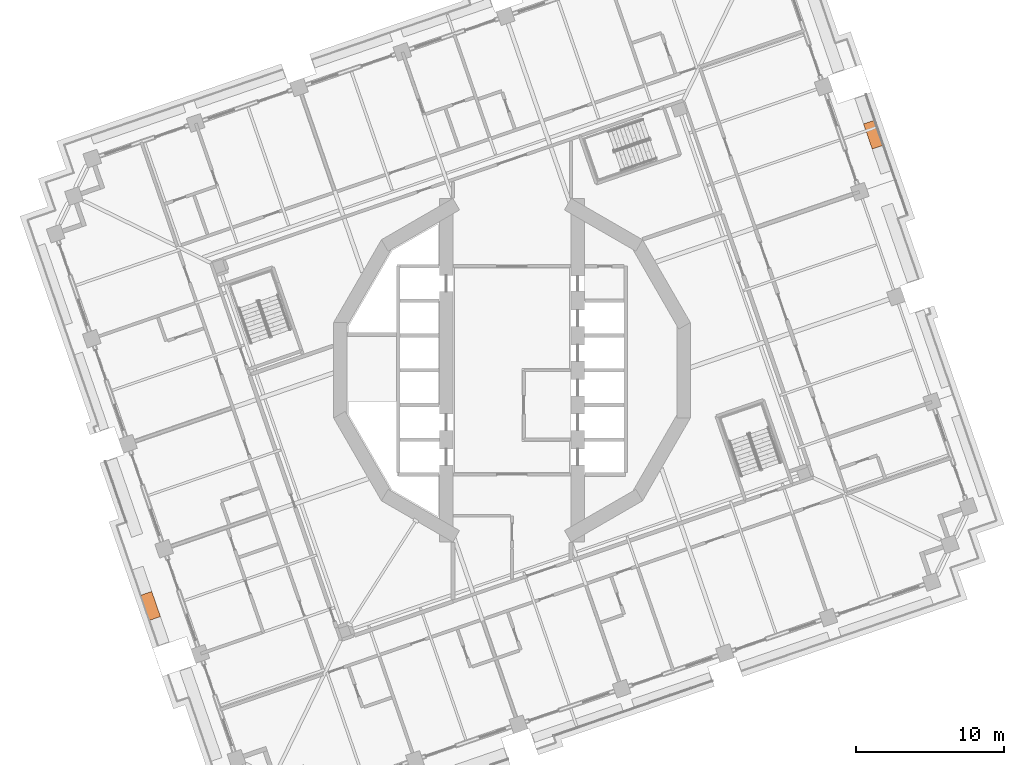
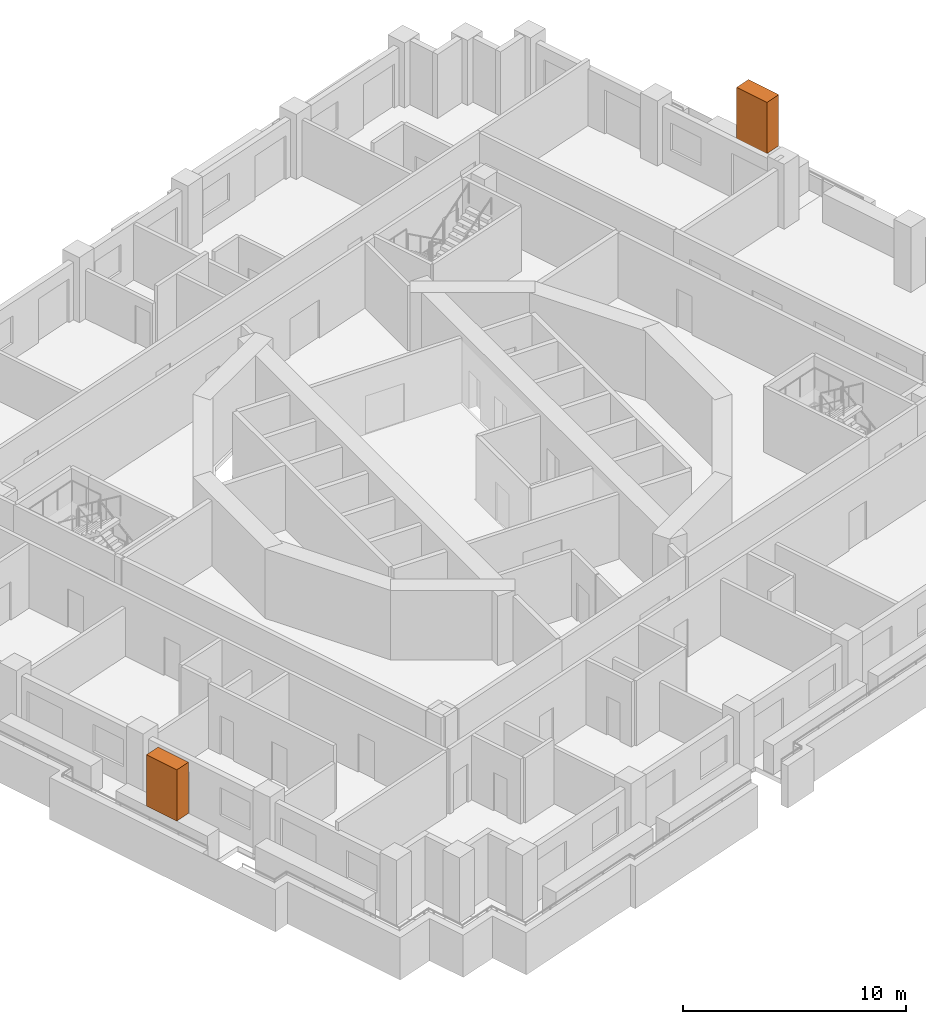
# One storey, part 19 of 19: 2 proxies.
"""IFC4 building model written with IfcOpenShell, lengths in metres."""

from ifc_helpers import new_model, si_unit, direction, frame, origin, origin_2d, place, context, subcontext, project, spatial, rectangle, extrude, element, save


model = new_model("IFC4")

# Units and contexts
model_context = context("Model", 3, precision=1e-05, world=origin(), true_north=direction((0.0, 1.0)))
body_context = subcontext(model_context, "Body", "Model", "MODEL_VIEW")
ifc_project = project(units=[si_unit("LENGTHUNIT", "METRE"), si_unit("AREAUNIT", "SQUARE_METRE"), si_unit("VOLUMEUNIT", "CUBIC_METRE"), si_unit("PLANEANGLEUNIT", "RADIAN"), si_unit("MASSUNIT", "GRAM", prefix="KILO")], contexts=[model_context])

# Site, building, storey
site_placement = place(None, origin())
site = spatial("IfcSite", under=ifc_project, at=site_placement, CompositionType="ELEMENT")
building_placement = place(site_placement, origin())
building = spatial("IfcBuilding", under=site, at=building_placement, Name="Cantera Rosa Tower", CompositionType="ELEMENT")
storey_placement = place(building_placement, frame((0.0, 0.0, 111.699951171875)))
storey = spatial("IfcBuildingStorey", under=building, at=storey_placement, Name="L22", CompositionType="ELEMENT", Elevation=111.699951171875)

# Proxies
for number, where, z_axis, x_axis, name in (
    (1, (24.47265625, 15.956787109375, 1.60009765625), (0.0, 0.0, 1.0), (-0.325568154457, 0.945518575599, 0.0), "TREE L22-04"),
    (2, (-24.47265625, -15.956787109375, 1.60009765625), (0.0, 0.0, 1.0), (0.325568154457, -0.945518575599, 0.0), "TREE L22-15"),
):
    element("IfcBuildingElementProxy", number, at=place(storey_placement, frame(where, z_axis=z_axis, x_axis=x_axis)), inside=storey, Name=name, ObjectType="TREE", PredefinedType="USERDEFINED", context=body_context, shape_type="SweptSolid", body=[
        extrude(rectangle(XDim=1.800048828125, YDim=0.800048828125, at=origin_2d()), origin(), (0.0, 0.0, 1.0), 2.800048828125),
    ])

save(model, "model.ifc")
